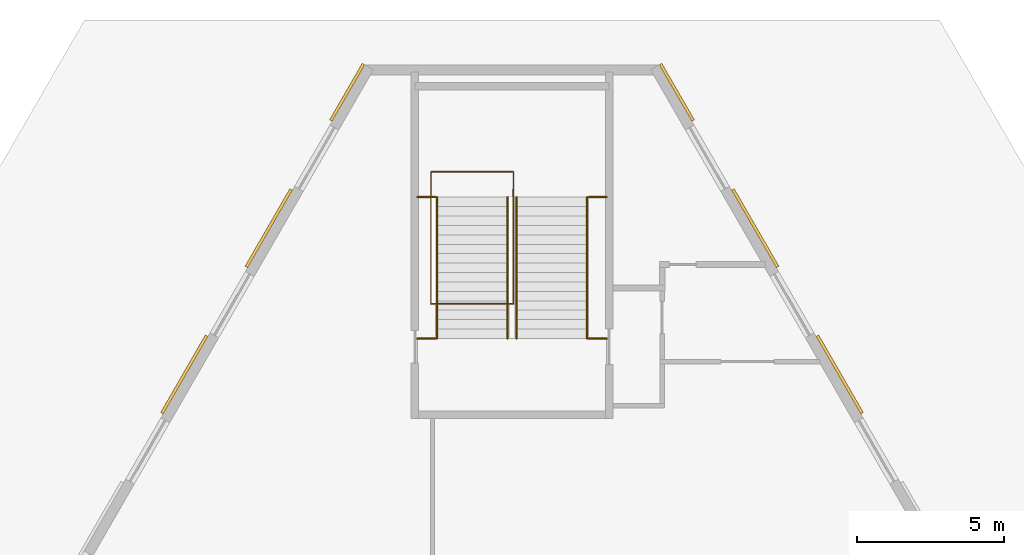
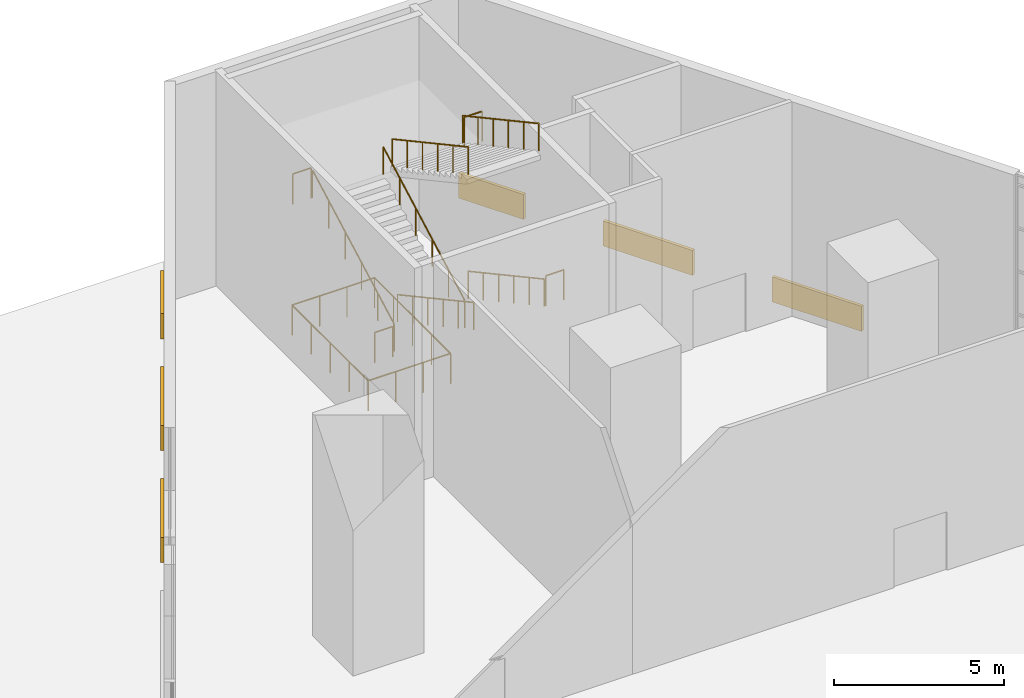
# One storey, part 23 of 24: 11 railings, 6 coverings.
"""IFC4 building model written with IfcOpenShell, lengths in metres."""

import ifcopenshell
import ifcopenshell.guid

model = None  # the IFC model being written
_history = None  # IfcOwnerHistory: only IFC2X3 demands one
_inside = {}  # id of a spatial element -> (the spatial element, [elements in it])
_under = {}  # id of a project, library or spatial element -> (it, [spatial elements below it])
_declared = {}  # id of a project -> (the project, [libraries it declares])
_typed = {}  # id of a type object -> (the type object, [elements of that type])
_made_of = {}  # id of a material, layer set ... -> (it, [elements and type objects made of it])


def new_model(schema):
    """Start an empty IFC model of exactly this schema.

    Asked for "IFC4X3", IfcOpenShell would pick the latest addendum, in which some entities
    have other attributes; the version numbers below select the first issue.
    IFC2X3 requires an IfcOwnerHistory on every rooted entity: one is made here for all.
    """
    global model, _history
    if schema == "IFC4X3":
        model = ifcopenshell.file(schema_version=(4, 3, 0, 0))
    else:
        model = ifcopenshell.file(schema=schema)
    _inside.clear()
    _under.clear()
    _declared.clear()
    _typed.clear()
    _made_of.clear()
    _history = None
    if model.schema == "IFC2X3":
        org = make("IfcOrganization", Name="unknown")
        user = make(
            "IfcPersonAndOrganization",
            ThePerson=make("IfcPerson", FamilyName="unknown"),
            TheOrganization=org,
        )
        app = make(
            "IfcApplication",
            ApplicationDeveloper=org,
            Version="unknown",
            ApplicationFullName="unknown",
            ApplicationIdentifier="unknown",
        )
        _history = make(
            "IfcOwnerHistory",
            OwningUser=user,
            OwningApplication=app,
            ChangeAction="ADDED",
            CreationDate=0,
        )
    return model


def make(cls, **values):
    """One entity of the class cls with the attributes given. An attribute that is None is left unset."""
    return model.create_entity(
        cls, **{name: value for name, value in values.items() if value is not None}
    )


def rooted(cls, **values):
    """An entity with a GlobalId (a new one), such as an element, a storey or a relation."""
    return make(cls, GlobalId=ifcopenshell.guid.new(), OwnerHistory=_history, **values)


def si_unit(unit_type, name, prefix=None):
    """IfcSIUnit, for example si_unit("LENGTHUNIT", "METRE", prefix="MILLI")."""
    return make("IfcSIUnit", UnitType=unit_type, Prefix=prefix, Name=name)


def assignment(units):
    """IfcUnitAssignment: the units of a project."""
    return None if units is None else make("IfcUnitAssignment", Units=units)


def point(xyz):
    """IfcCartesianPoint."""
    return None if xyz is None else make("IfcCartesianPoint", Coordinates=xyz)


def direction(xyz):
    """IfcDirection."""
    return None if xyz is None else make("IfcDirection", DirectionRatios=xyz)


def frame(location, z_axis=None, x_axis=None):
    """IfcAxis2Placement3D, a coordinate frame: its origin and axes. An axis left out is left unset."""
    return make(
        "IfcAxis2Placement3D",
        Location=point(location),
        Axis=direction(z_axis),
        RefDirection=direction(x_axis),
    )


def frame_2d(location, x_axis=None):
    """IfcAxis2Placement2D, a coordinate frame in the plane: its origin and x axis."""
    return make(
        "IfcAxis2Placement2D", Location=point(location), RefDirection=direction(x_axis)
    )


def origin():
    """The frame at (0, 0, 0) with its axes left unset."""
    return frame((0.0, 0.0, 0.0))


def origin_2d():
    """The frame at (0, 0) in the plane with its x axis left unset."""
    return frame_2d((0.0, 0.0))


def place(relative_to, where):
    """IfcLocalPlacement: puts the frame where relative to a parent placement (None: the world)."""
    return make(
        "IfcLocalPlacement", PlacementRelTo=relative_to, RelativePlacement=where
    )


def context(
    kind, dimensions, precision=None, world=None, true_north=None, identifier=None
):
    """IfcGeometricRepresentationContext, for example the 3D "Model" context."""
    return make(
        "IfcGeometricRepresentationContext",
        ContextIdentifier=identifier,
        ContextType=kind,
        CoordinateSpaceDimension=dimensions,
        Precision=precision,
        WorldCoordinateSystem=world,
        TrueNorth=true_north,
    )


def subcontext(parent, identifier, kind, view, scale=None):
    """IfcGeometricRepresentationSubContext, for example "Body" below "Model"."""
    return make(
        "IfcGeometricRepresentationSubContext",
        ContextIdentifier=identifier,
        ContextType=kind,
        ParentContext=parent,
        TargetScale=scale,
        TargetView=view,
    )


def project(units=None, contexts=None):
    """IfcProject with its units and contexts."""
    return rooted(
        "IfcProject",
        Name="project",
        RepresentationContexts=contexts,
        UnitsInContext=assignment(units),
    )


def spatial(cls, under=None, at=None, **own):
    """A site, building, storey or space (cls), placed at a placement, below another one or the project."""
    s = rooted(cls, ObjectPlacement=at, **own)
    if under is not None:
        _under.setdefault(under.id(), (under, []))[1].append(s)
    return s


def polyline(points):
    """IfcPolyline through the points."""
    return make("IfcPolyline", Points=[point(p) for p in points])


def profile(cls, at=None, kind="AREA", **sizes):
    """A parametric profile (cls). Its sizes go by their IFC names, for example OverallWidth=200.0."""
    return make(cls, ProfileType=kind, Position=at, **sizes)


def circle(**sizes):
    """IfcCircleProfileDef."""
    return profile("IfcCircleProfileDef", **sizes)


def outline(outer, holes=None, kind="AREA"):
    """IfcArbitraryClosedProfileDef: a profile drawn as a closed curve; with holes, ...WithVoids."""
    if holes is None:
        return make("IfcArbitraryClosedProfileDef", ProfileType=kind, OuterCurve=outer)
    return make(
        "IfcArbitraryProfileDefWithVoids",
        ProfileType=kind,
        OuterCurve=outer,
        InnerCurves=holes,
    )


def extrude(swept, where, along, depth):
    """IfcExtrudedAreaSolid: the profile swept, set in the frame where, extruded along a direction by depth."""
    return make(
        "IfcExtrudedAreaSolid",
        SweptArea=swept,
        Position=where,
        ExtrudedDirection=direction(along),
        Depth=depth,
    )


def shape(context_of_items, identifier, shape_type, items):
    """IfcShapeRepresentation: the items that make up one representation, for example the "Body"."""
    return make(
        "IfcShapeRepresentation",
        ContextOfItems=context_of_items,
        RepresentationIdentifier=identifier,
        RepresentationType=shape_type,
        Items=items,
    )


def material(Name=None, Category=None):
    """IfcMaterial."""
    return make("IfcMaterial", Name=Name, Category=Category)


def made_of(thing, what):
    """Note that an element or type object is made of a material, layer set ...; save() writes the relation."""
    if what is not None:
        _made_of.setdefault(what.id(), (what, []))[1].append(thing)
    return thing


def type_object(cls, material=None, **own):
    """A type object (cls), such as IfcWallType, which elements share."""
    return made_of(rooted(cls, **own), material)


def element(
    cls,
    number,
    at=None,
    inside=None,
    cuts=None,
    type_object=None,
    material=None,
    context=None,
    identifier="Body",
    shape_type=None,
    held_by="IfcProductDefinitionShape",
    body=None,
    shapes=None,
    **own,
):
    """One element of the class cls, such as IfcWall. Its Tag is "e" and its number.

    at: its placement. inside: the storey or other place that contains it. cuts: it is an
    opening in that element (IfcRelVoidsElement). A single representation is given by context,
    identifier, shape_type and body (its items); several are given by shapes. held_by: the class
    of the entity that holds the representations. save() writes the other relations.
    """
    e = rooted(cls, Tag="e%d" % number, ObjectPlacement=at, **own)
    if body is not None:
        shapes = [shape(context, identifier, shape_type, body)]
    if shapes is not None:
        e.Representation = make(held_by, Representations=shapes)
    if inside is not None:
        _inside.setdefault(inside.id(), (inside, []))[1].append(e)
    if cuts is not None:
        rooted(
            "IfcRelVoidsElement", RelatingBuildingElement=cuts, RelatedOpeningElement=e
        )
    if type_object is not None:
        _typed.setdefault(type_object.id(), (type_object, []))[1].append(e)
    return made_of(e, material)


def aggregate(whole, parts):
    """IfcRelAggregates: a whole, such as a stair, and the parts it consists of."""
    return rooted("IfcRelAggregates", RelatingObject=whole, RelatedObjects=parts)


def save(model, path):
    """Write the relations noted so far, then the file.

    IfcRelAggregates (storeys below a building ...), IfcRelContainedInSpatialStructure (elements
    in a storey), IfcRelDefinesByType, IfcRelAssociatesMaterial and IfcRelDeclares: one each for
    every whole, place, type object, material and project.
    """
    for whole, parts in _under.values():
        aggregate(whole, parts)
    for where, things in _inside.values():
        rooted(
            "IfcRelContainedInSpatialStructure",
            RelatedElements=things,
            RelatingStructure=where,
        )
    for kind, things in _typed.values():
        rooted("IfcRelDefinesByType", RelatedObjects=things, RelatingType=kind)
    for what, things in _made_of.values():
        rooted("IfcRelAssociatesMaterial", RelatedObjects=things, RelatingMaterial=what)
    for by, libraries in _declared.values():
        rooted("IfcRelDeclares", RelatingContext=by, RelatedDefinitions=libraries)
    model.write(path)


model = new_model("IFC4")

# Units and contexts
model_context = context("Model", 3, precision=1e-05, world=origin(), true_north=direction((0.0, 1.0)))
body_context = subcontext(model_context, "Body", "Model", "MODEL_VIEW")
ifc_project = project(units=[si_unit("LENGTHUNIT", "METRE"), si_unit("AREAUNIT", "SQUARE_METRE"), si_unit("VOLUMEUNIT", "CUBIC_METRE"), si_unit("PLANEANGLEUNIT", "RADIAN"), si_unit("MASSUNIT", "GRAM", prefix="KILO")], contexts=[model_context])

# Site, building, storey
site_placement = place(None, origin())
site = spatial("IfcSite", under=ifc_project, at=site_placement, CompositionType="ELEMENT")
building_placement = place(site_placement, origin())
building = spatial("IfcBuilding", under=site, at=building_placement, Name="Fogline Exchange Tower", CompositionType="ELEMENT")
storey_placement = place(building_placement, origin())
storey = spatial("IfcBuildingStorey", under=building, at=storey_placement, Name="L00", CompositionType="ELEMENT", Elevation=0.0)

# Coverings
ifc_material_1 = material(Name="Granite", Category="masonry")
covering_type = type_object("IfcCoveringType", Name="GB1", PredefinedType="CLADDING", material=ifc_material_1)
covering_1_placement = place(storey_placement, origin())
element("IfcCovering", 1, at=covering_1_placement, inside=storey, type_object=covering_type, Name="Granite base course L00 E", PredefinedType="CLADDING", context=body_context, shape_type="SweptSolid", body=[
    extrude(outline(polyline([(11.845947265625, 62.62060546875), (11.9326171875, 62.670654296875), (10.41259765625, 65.30322265625), (10.325927734375, 65.25341796875), (11.845947265625, 62.62060546875)])), origin(), (0.0, 0.0, 1.0), 0.89990234375),
])
covering_2_placement = place(storey_placement, origin())
element("IfcCovering", 2, at=covering_2_placement, inside=storey, type_object=covering_type, Name="Granite base course L00 E", PredefinedType="CLADDING", context=body_context, shape_type="SweptSolid", body=[
    extrude(outline(polyline([(8.97607421875, 67.591552734375), (9.0625, 67.6416015625), (7.543212890625, 70.2734375), (7.45654296875, 70.223388671875), (8.97607421875, 67.591552734375)])), origin(), (0.0, 0.0, 1.0), 0.89990234375),
])
covering_3_placement = place(storey_placement, origin())
element("IfcCovering", 3, at=covering_3_placement, inside=storey, type_object=covering_type, Name="Granite base course L00 E", PredefinedType="CLADDING", context=body_context, shape_type="SweptSolid", body=[
    extrude(outline(polyline([(6.1064453125, 72.561767578125), (6.193115234375, 72.61181640625), (5.086669921875, 74.5283203125), (5.0, 74.478271484375), (6.1064453125, 72.561767578125)])), origin(), (0.0, 0.0, 1.0), 0.89990234375),
])
covering_4_placement = place(storey_placement, origin())
element("IfcCovering", 4, at=covering_4_placement, inside=storey, type_object=covering_type, Name="Granite base course L00 W", PredefinedType="CLADDING", context=body_context, shape_type="SweptSolid", body=[
    extrude(outline(polyline([(-5.0, 74.478271484375), (-5.086669921875, 74.5283203125), (-6.193115234375, 72.61181640625), (-6.1064453125, 72.561767578125), (-5.0, 74.478271484375)])), origin(), (0.0, 0.0, 1.0), 0.89990234375),
])
covering_5_placement = place(storey_placement, origin())
element("IfcCovering", 5, at=covering_5_placement, inside=storey, type_object=covering_type, Name="Granite base course L00 W", PredefinedType="CLADDING", context=body_context, shape_type="SweptSolid", body=[
    extrude(outline(polyline([(-7.45654296875, 70.223388671875), (-7.543212890625, 70.2734375), (-9.0625, 67.6416015625), (-8.97607421875, 67.591552734375), (-7.45654296875, 70.223388671875)])), origin(), (0.0, 0.0, 1.0), 0.89990234375),
])
covering_6_placement = place(storey_placement, origin())
element("IfcCovering", 6, at=covering_6_placement, inside=storey, type_object=covering_type, Name="Granite base course L00 W", PredefinedType="CLADDING", context=body_context, shape_type="SweptSolid", body=[
    extrude(outline(polyline([(-10.325927734375, 65.25341796875), (-10.41259765625, 65.30322265625), (-11.9326171875, 62.670654296875), (-11.845947265625, 62.62060546875), (-10.325927734375, 65.25341796875)])), origin(), (0.0, 0.0, 1.0), 0.89990234375),
])

# Railings
ifc_material_2 = material(Name="Steel Q235B", Category="steel")
railing_type_1 = type_object("IfcRailingType", Name="PG1", PredefinedType="GUARDRAIL", material=ifc_material_2)
railing_placement = place(storey_placement, frame((0.050048828125, 66.364990234375, 0.0)))
element("IfcRailing", 7, at=railing_placement, inside=storey, type_object=railing_type_1, Name="Stair well guard ST6", PredefinedType="GUARDRAIL", context=body_context, shape_type="SweptSolid", body=[
    extrude(circle(Radius=0.02392578125, at=origin_2d()), frame((0.0, 0.0, 1.076171875), z_axis=(-1.0, 0.0, 0.0), x_axis=(0.0, -1.0, 0.0)), (0.0, 0.0, 1.0), 2.800048828125),
    extrude(circle(Radius=0.02392578125, at=origin_2d()), frame((-2.800048828125, 0.0, 1.076171875), z_axis=(0.0, 1.0, 0.0), x_axis=(-1.0, 0.0, 0.0)), (0.0, 0.0, 1.0), 4.47802734375),
    extrude(circle(Radius=0.02392578125, at=origin_2d()), frame((-2.800048828125, 4.47802734375, 1.076171875), z_axis=(1.0, 0.0, 0.0), x_axis=(0.0, 1.0, 0.0)), (0.0, 0.0, 1.0), 2.800048828125),
    extrude(circle(Radius=0.02392578125, at=origin_2d()), frame((0.0, 4.47802734375, 1.076171875), z_axis=(-0.001144912563, -0.999999344587, 0.0), x_axis=(0.999999344587, -0.001144912563, 0.0)), (0.0, 0.0, 1.0), 4.47802734375),
    extrude(circle(Radius=0.02099609375, at=origin_2d()), origin(), (0.0, 0.0, 1.0), 1.052001953125),
    extrude(circle(Radius=0.02099609375, at=origin_2d()), frame((-0.933349609375, 0.0, 0.0)), (0.0, 0.0, 1.0), 1.052001953125),
    extrude(circle(Radius=0.02099609375, at=origin_2d()), frame((-1.86669921875, 0.0, 0.0)), (0.0, 0.0, 1.0), 1.052001953125),
    extrude(circle(Radius=0.02099609375, at=origin_2d()), frame((-2.800048828125, 0.0, 0.0)), (0.0, 0.0, 1.0), 1.052001953125),
    extrude(circle(Radius=0.02099609375, at=origin_2d()), frame((-2.800048828125, 1.11962890625, 0.0)), (0.0, 0.0, 1.0), 1.052001953125),
    extrude(circle(Radius=0.02099609375, at=origin_2d()), frame((-2.800048828125, 2.239013671875, 0.0)), (0.0, 0.0, 1.0), 1.052001953125),
    extrude(circle(Radius=0.02099609375, at=origin_2d()), frame((-2.800048828125, 3.3583984375, 0.0)), (0.0, 0.0, 1.0), 1.052001953125),
    extrude(circle(Radius=0.02099609375, at=origin_2d()), frame((-2.800048828125, 4.47802734375, 0.0)), (0.0, 0.0, 1.0), 1.052001953125),
    extrude(circle(Radius=0.02099609375, at=origin_2d()), frame((-1.86669921875, 4.47802734375, 0.0)), (0.0, 0.0, 1.0), 1.052001953125),
    extrude(circle(Radius=0.02099609375, at=origin_2d()), frame((-0.933349609375, 4.47802734375, 0.0)), (0.0, 0.0, 1.0), 1.052001953125),
    extrude(circle(Radius=0.02099609375, at=origin_2d()), frame((0.0, 4.47802734375, 0.0)), (0.0, 0.0, 1.0), 1.052001953125),
    extrude(circle(Radius=0.02099609375, at=origin_2d()), frame((-0.001220703125, 3.3583984375, 0.0)), (0.0, 0.0, 1.0), 1.052001953125),
    extrude(circle(Radius=0.02099609375, at=origin_2d()), frame((-0.00244140625, 2.239013671875, 0.0)), (0.0, 0.0, 1.0), 1.052001953125),
    extrude(circle(Radius=0.02099609375, at=origin_2d()), frame((-0.00390625, 1.11962890625, 0.0)), (0.0, 0.0, 1.0), 1.052001953125),
    extrude(circle(Radius=0.02099609375, at=origin_2d()), frame((-0.005126953125, 0.0, 0.0)), (0.0, 0.0, 1.0), 1.052001953125),
])
for number, where, name in (
    (8, (-3.215087890625, 65.18505859375, 2.608642578125), "Landing guard ST6"),
    (9, (2.60009765625, 65.18505859375, 2.608642578125), "Landing guard ST6"),
    (10, (-3.215087890625, 69.985107421875, 5.391357421875), "Landing guard ST6"),
    (11, (2.60009765625, 69.985107421875, 5.391357421875), "Landing guard ST6"),
):
    element("IfcRailing", number, at=place(storey_placement, frame(where)), inside=storey, type_object=railing_type_1, Name=name, PredefinedType="GUARDRAIL", context=body_context, shape_type="SweptSolid", body=[
        extrude(circle(Radius=0.02392578125, at=origin_2d()), frame((0.0, 0.0, 1.076171875), z_axis=(1.0, 0.0, 0.0), x_axis=(0.0, 1.0, 0.0)), (0.0, 0.0, 1.0), 0.614990234375),
        extrude(circle(Radius=0.02099609375, at=origin_2d()), origin(), (0.0, 0.0, 1.0), 1.052001953125),
        extrude(circle(Radius=0.02099609375, at=origin_2d()), frame((0.614990234375, 0.0, 0.0)), (0.0, 0.0, 1.0), 1.052001953125),
    ])
railing_type_2 = type_object("IfcRailingType", Name="PH1", PredefinedType="HANDRAIL", material=ifc_material_2)
for number, where, name in (
    (12, (0.14990234375, 69.6650390625, 0.173828125), "Handrail ST6"),
    (13, (2.550048828125, 69.6650390625, 0.173828125), "Handrail ST6"),
):
    element("IfcRailing", number, at=place(storey_placement, frame(where)), inside=storey, type_object=railing_type_2, Name=name, PredefinedType="HANDRAIL", context=body_context, shape_type="SweptSolid", body=[
        extrude(circle(Radius=0.02392578125, at=origin_2d()), frame((0.0, 0.0, 0.97607421875), z_axis=(0.0, -0.878621015842, 0.477519748828), x_axis=(1.0, 0.0, 0.0)), (0.0, 0.0, 1.0), 5.098876953125),
        extrude(circle(Radius=0.02099609375, at=origin_2d()), origin(), (0.0, 0.0, 1.0), 0.951904296875),
        extrude(circle(Radius=0.02099609375, at=origin_2d()), frame((0.0, -0.89599609375, 0.487060546875)), (0.0, 0.0, 1.0), 0.951904296875),
        extrude(circle(Radius=0.02099609375, at=origin_2d()), frame((0.0, -1.7919921875, 0.973876953125)), (0.0, 0.0, 1.0), 0.951904296875),
        extrude(circle(Radius=0.02099609375, at=origin_2d()), frame((0.0, -2.68798828125, 1.4609375)), (0.0, 0.0, 1.0), 0.951904296875),
        extrude(circle(Radius=0.02099609375, at=origin_2d()), frame((0.0, -3.583984375, 1.94775390625)), (0.0, 0.0, 1.0), 0.951904296875),
        extrude(circle(Radius=0.02099609375, at=origin_2d()), frame((0.0, -4.47998046875, 2.434814453125)), (0.0, 0.0, 1.0), 0.951904296875),
    ])
for number, where, name in (
    (14, (-0.14990234375, 65.18505859375, 2.78271484375), "Handrail ST6"),
    (15, (-2.550048828125, 65.18505859375, 2.78271484375), "Handrail ST6"),
):
    element("IfcRailing", number, at=place(storey_placement, frame(where)), inside=storey, type_object=railing_type_2, Name=name, PredefinedType="HANDRAIL", context=body_context, shape_type="SweptSolid", body=[
        extrude(circle(Radius=0.02392578125, at=origin_2d()), frame((0.0, 0.0, 0.97607421875), z_axis=(0.0, 0.878630623466, 0.477502070685), x_axis=(-1.0, 0.0, 0.0)), (0.0, 0.0, 1.0), 5.463134765625),
        extrude(circle(Radius=0.02099609375, at=origin_2d()), origin(), (0.0, 0.0, 1.0), 0.951904296875),
        extrude(circle(Radius=0.02099609375, at=origin_2d()), frame((0.0, 0.9599609375, 0.521728515625)), (0.0, 0.0, 1.0), 0.951904296875),
        extrude(circle(Radius=0.02099609375, at=origin_2d()), frame((0.0, 1.919921875, 1.04345703125)), (0.0, 0.0, 1.0), 0.951904296875),
        extrude(circle(Radius=0.02099609375, at=origin_2d()), frame((0.0, 2.880126953125, 1.565185546875)), (0.0, 0.0, 1.0), 0.951904296875),
        extrude(circle(Radius=0.02099609375, at=origin_2d()), frame((0.0, 3.840087890625, 2.0869140625)), (0.0, 0.0, 1.0), 0.951904296875),
        extrude(circle(Radius=0.02099609375, at=origin_2d()), frame((0.0, 4.800048828125, 2.608642578125)), (0.0, 0.0, 1.0), 0.951904296875),
    ])
for number, where, name in (
    (16, (0.14990234375, 69.985107421875, 5.565185546875), "Handrail ST6"),
    (17, (2.550048828125, 69.985107421875, 5.565185546875), "Handrail ST6"),
):
    element("IfcRailing", number, at=place(storey_placement, frame(where)), inside=storey, type_object=railing_type_2, Name=name, PredefinedType="HANDRAIL", context=body_context, shape_type="SweptSolid", body=[
        extrude(circle(Radius=0.02392578125, at=origin_2d()), frame((0.0, 0.0, 0.97607421875), z_axis=(0.0, -0.878631933281, 0.477499660542), x_axis=(1.0, 0.0, 0.0)), (0.0, 0.0, 1.0), 5.09912109375),
        extrude(circle(Radius=0.02099609375, at=origin_2d()), origin(), (0.0, 0.0, 1.0), 0.951904296875),
        extrude(circle(Radius=0.02099609375, at=origin_2d()), frame((0.0, -0.89599609375, 0.487060546875)), (0.0, 0.0, 1.0), 0.951904296875),
        extrude(circle(Radius=0.02099609375, at=origin_2d()), frame((0.0, -1.7919921875, 0.973876953125)), (0.0, 0.0, 1.0), 0.951904296875),
        extrude(circle(Radius=0.02099609375, at=origin_2d()), frame((0.0, -2.688232421875, 1.4609375)), (0.0, 0.0, 1.0), 0.951904296875),
        extrude(circle(Radius=0.02099609375, at=origin_2d()), frame((0.0, -3.584228515625, 1.94775390625)), (0.0, 0.0, 1.0), 0.951904296875),
        extrude(circle(Radius=0.02099609375, at=origin_2d()), frame((0.0, -4.480224609375, 2.434814453125)), (0.0, 0.0, 1.0), 0.951904296875),
    ])

save(model, "model.ifc")
